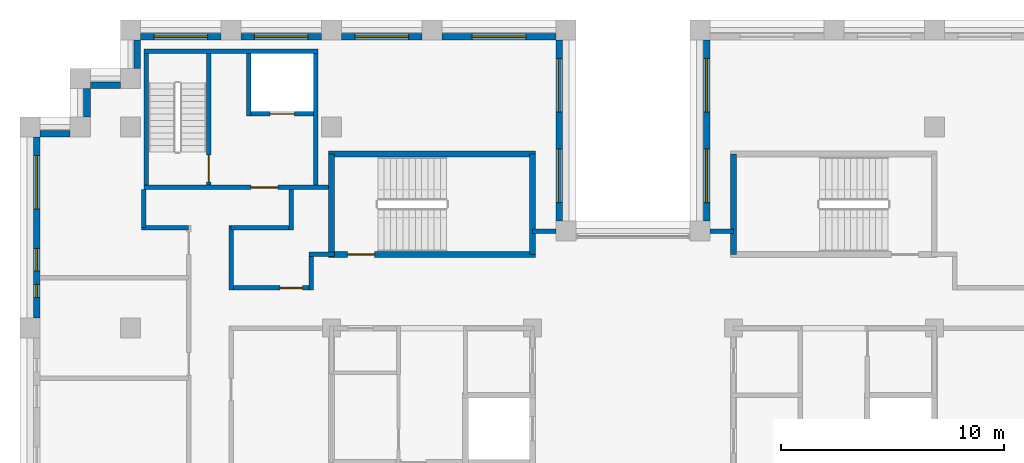
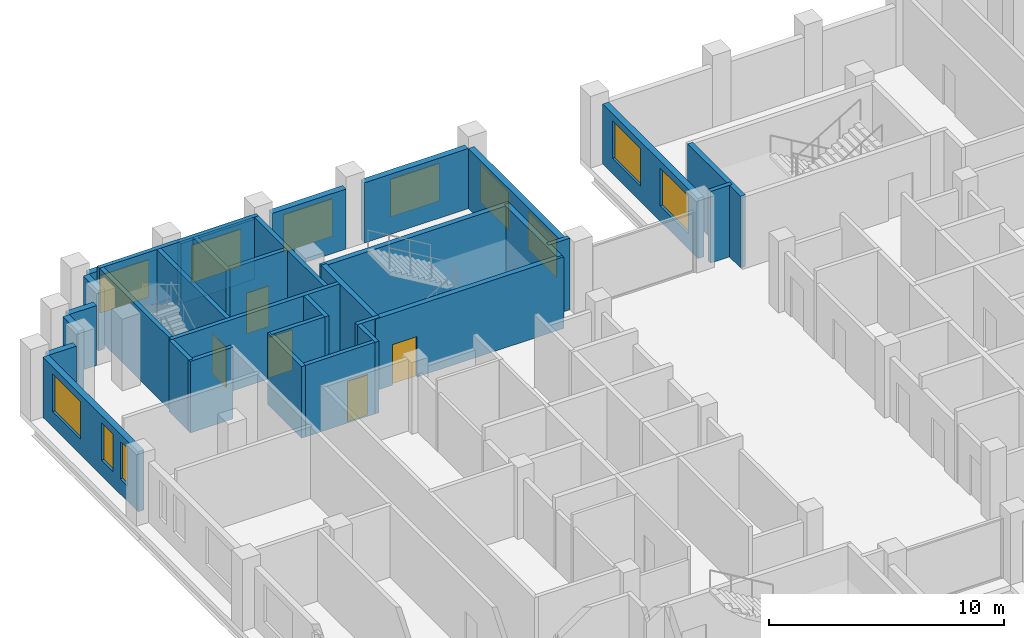
# One storey, part 10 of 13: 33 walls, 11 windows, 5 doors, 16 openings.
"""IFC4 building model written with IfcOpenShell, lengths in metres."""

from ifc_helpers import new_model, si_unit, direction, frame, frame_2d, origin, place, context, subcontext, project, spatial, rectangle, extrude, material, layer, layer_set, type_object, element, fill, save


model = new_model("IFC4")

# Units and contexts
model_context = context("Model", 3, precision=1e-05, world=origin(), true_north=direction((0.0, 1.0)))
body_context = subcontext(model_context, "Body", "Model", "MODEL_VIEW")
ifc_project = project(units=[si_unit("LENGTHUNIT", "METRE"), si_unit("AREAUNIT", "SQUARE_METRE"), si_unit("VOLUMEUNIT", "CUBIC_METRE"), si_unit("PLANEANGLEUNIT", "RADIAN"), si_unit("MASSUNIT", "GRAM", prefix="KILO")], contexts=[model_context])

# Site, building, storey
site_placement = place(None, origin())
site = spatial("IfcSite", under=ifc_project, at=site_placement, CompositionType="ELEMENT")
building_placement = place(site_placement, origin())
building = spatial("IfcBuilding", under=site, at=building_placement, Name="Corbelhall Arena Tower", CompositionType="ELEMENT")
storey_placement = place(building_placement, frame((0.0, 0.0, 274.0)))
storey = spatial("IfcBuildingStorey", under=building, at=storey_placement, Name="L59", CompositionType="ELEMENT", Elevation=274.0)

# Walls
ifc_material_1 = material(Name="Precast concrete C40/50 with granite facing", Category="masonry")
ifc_layer_1 = layer(ifc_material_1, 0.300048828125)
ifc_layer_set_1 = layer_set([ifc_layer_1], Name="EV-IW1 Infill panel 300")
wall_type_1 = type_object("IfcWallType", Name="EV-IW1 Infill panel 300", PredefinedType="SOLIDWALL", material=ifc_layer_set_1)
wall_1_placement = place(storey_placement, frame((-24.449951171875, 19.72509765625, 0.0), z_axis=(0.0, 0.0, 1.0), x_axis=(0.0, -1.0, 0.0)))
element("IfcWall", 1, at=wall_1_placement, inside=storey, type_object=wall_type_1, Name="Infill panel IW1", PredefinedType="SOLIDWALL", context=body_context, shape_type="SweptSolid", body=[
    extrude(rectangle(XDim=1.275146484375, YDim=0.300048828125, at=frame_2d((0.6376953125, 0.0))), origin(), (0.0, 0.0, 1.0), 3.1201171875),
])
wall_2_placement = place(storey_placement, frame((-25.199951171875, 17.699951171875, 0.0), z_axis=(0.0, 0.0, 1.0), x_axis=(-1.0, 0.0, 0.0)))
element("IfcWall", 2, at=wall_2_placement, inside=storey, type_object=wall_type_1, Name="Infill panel IW1", PredefinedType="SOLIDWALL", context=body_context, shape_type="SweptSolid", body=[
    extrude(rectangle(XDim=1.35009765625, YDim=0.300048828125, at=frame_2d((0.675048828125, 0.0))), origin(), (0.0, 0.0, 1.0), 3.1201171875),
])

# Wall, openings, windows
wall_3_placement = place(storey_placement, frame((-26.699951171875, 17.550048828125, 0.0), z_axis=(0.0, 0.0, 1.0), x_axis=(0.0, -1.0, 0.0)))
wall_3 = element("IfcWall", 3, at=wall_3_placement, inside=storey, type_object=wall_type_1, Name="Infill panel IW1", PredefinedType="SOLIDWALL", context=body_context, shape_type="SweptSolid", body=[
    extrude(rectangle(XDim=8.10009765625, YDim=0.300048828125, at=frame_2d((4.050048828125, 0.0))), origin(), (0.0, 0.0, 1.0), 3.1201171875),
])
opening_1_placement = place(wall_3_placement, frame((0.824951171875, 0.0, 0.800048828125)))
opening_1 = element("IfcOpeningElement", 4, at=opening_1_placement, cuts=wall_3, Name="Opening WN1", PredefinedType="OPENING", context=body_context, shape_type="SweptSolid", body=[
    extrude(rectangle(XDim=2.39990234375, YDim=1.949951171875, at=frame_2d((1.199951171875, 0.97509765625))), frame((0.0, 0.14990234375, 0.0), z_axis=(0.0, -1.0, 0.0), x_axis=(1.0, 0.0, 0.0)), (0.0, 0.0, 1.0), 0.300048828125),
])
opening_2_placement = place(wall_3_placement, frame((4.987548828125, 0.0, 0.800048828125)))
opening_2 = element("IfcOpeningElement", 5, at=opening_2_placement, cuts=wall_3, Name="Opening WN6", PredefinedType="OPENING", context=body_context, shape_type="SweptSolid", body=[
    extrude(rectangle(XDim=1.0, YDim=1.949951171875, at=frame_2d((0.5, 0.97509765625))), frame((0.0, 0.14990234375, 0.0), z_axis=(0.0, -1.0, 0.0), x_axis=(1.0, 0.0, 0.0)), (0.0, 0.0, 1.0), 0.300048828125),
])
opening_3_placement = place(wall_3_placement, frame((6.58740234375, 0.0, 0.800048828125)))
opening_3 = element("IfcOpeningElement", 6, at=opening_3_placement, cuts=wall_3, Name="Opening WN5", PredefinedType="OPENING", context=body_context, shape_type="SweptSolid", body=[
    extrude(rectangle(XDim=0.60009765625, YDim=1.949951171875, at=frame_2d((0.300048828125, 0.97509765625))), frame((0.0, 0.14990234375, 0.0), z_axis=(0.0, -1.0, 0.0), x_axis=(1.0, 0.0, 0.0)), (0.0, 0.0, 1.0), 0.300048828125),
])
ifc_material_2 = material(Name="Aluminium black anodised", Category="aluminium")
window_type_1 = type_object("IfcWindowType", Name="EV-WN1 Office window", PartitioningType="SINGLE_PANEL", PredefinedType="WINDOW", material=ifc_material_2)
window_1_placement = place(opening_1_placement, origin())
window_1 = element("IfcWindow", 7, at=window_1_placement, inside=storey, type_object=window_type_1, Name="Window WN1", OverallHeight=1.949951171875, OverallWidth=2.39990234375, PartitioningType="SINGLE_PANEL", PredefinedType="WINDOW", context=body_context, shape_type="SweptSolid", body=[
    extrude(rectangle(XDim=2.39990234375, YDim=1.949951171875, at=frame_2d((1.199951171875, 0.97509765625))), frame((0.0, 0.030029296875, 0.0), z_axis=(0.0, -1.0, 0.0), x_axis=(1.0, 0.0, 0.0)), (0.0, 0.0, 1.0), 0.06005859375),
])
fill(opening_1, window_1)
window_type_2 = type_object("IfcWindowType", Name="EV-WN5 Office window 600", PartitioningType="SINGLE_PANEL", PredefinedType="WINDOW", material=ifc_material_2)
window_2_placement = place(opening_3_placement, origin())
window_2 = element("IfcWindow", 8, at=window_2_placement, inside=storey, type_object=window_type_2, Name="Window WN5", OverallHeight=1.949951171875, OverallWidth=0.60009765625, PartitioningType="SINGLE_PANEL", PredefinedType="WINDOW", context=body_context, shape_type="SweptSolid", body=[
    extrude(rectangle(XDim=0.60009765625, YDim=1.949951171875, at=frame_2d((0.300048828125, 0.97509765625))), frame((0.0, 0.030029296875, 0.0), z_axis=(0.0, -1.0, 0.0), x_axis=(1.0, 0.0, 0.0)), (0.0, 0.0, 1.0), 0.06005859375),
])
fill(opening_3, window_2)
window_type_3 = type_object("IfcWindowType", Name="EV-WN6 Office window 1000", PartitioningType="SINGLE_PANEL", PredefinedType="WINDOW", material=ifc_material_2)
window_3_placement = place(opening_2_placement, origin())
window_3 = element("IfcWindow", 9, at=window_3_placement, inside=storey, type_object=window_type_3, Name="Window WN6", OverallHeight=1.949951171875, OverallWidth=1.0, PartitioningType="SINGLE_PANEL", PredefinedType="WINDOW", context=body_context, shape_type="SweptSolid", body=[
    extrude(rectangle(XDim=1.0, YDim=1.949951171875, at=frame_2d((0.5, 0.97509765625))), frame((0.0, 0.030029296875, 0.0), z_axis=(0.0, -1.0, 0.0), x_axis=(1.0, 0.0, 0.0)), (0.0, 0.0, 1.0), 0.06005859375),
])
fill(opening_2, window_3)

wall_4_placement = place(storey_placement, frame((3.300048828125, 21.89990234375, 0.0), z_axis=(0.0, 0.0, 1.0), x_axis=(0.0, -1.0, 0.0)))
wall_4 = element("IfcWall", 10, at=wall_4_placement, inside=storey, type_object=wall_type_1, Name="Infill panel IW1", PredefinedType="SOLIDWALL", context=body_context, shape_type="SweptSolid", body=[
    extrude(rectangle(XDim=8.099853515625, YDim=0.300048828125, at=frame_2d((4.0498046875, 0.0))), origin(), (0.0, 0.0, 1.0), 3.1201171875),
])
opening_4_placement = place(wall_4_placement, frame((0.824951171875, 0.0, 0.800048828125)))
opening_4 = element("IfcOpeningElement", 11, at=opening_4_placement, cuts=wall_4, Name="Opening WN1", PredefinedType="OPENING", context=body_context, shape_type="SweptSolid", body=[
    extrude(rectangle(XDim=2.39990234375, YDim=1.949951171875, at=frame_2d((1.199951171875, 0.97509765625))), frame((0.0, 0.14990234375, 0.0), z_axis=(0.0, -1.0, 0.0), x_axis=(1.0, 0.0, 0.0)), (0.0, 0.0, 1.0), 0.300048828125),
])
opening_5_placement = place(wall_4_placement, frame((4.875, 0.0, 0.800048828125)))
opening_5 = element("IfcOpeningElement", 12, at=opening_5_placement, cuts=wall_4, Name="Opening WN1", PredefinedType="OPENING", context=body_context, shape_type="SweptSolid", body=[
    extrude(rectangle(XDim=2.39990234375, YDim=1.949951171875, at=frame_2d((1.199951171875, 0.97509765625))), frame((0.0, 0.14990234375, 0.0), z_axis=(0.0, -1.0, 0.0), x_axis=(1.0, 0.0, 0.0)), (0.0, 0.0, 1.0), 0.300048828125),
])
window_4_placement = place(opening_4_placement, origin())
window_4 = element("IfcWindow", 13, at=window_4_placement, inside=storey, type_object=window_type_1, Name="Window WN1", OverallHeight=1.949951171875, OverallWidth=2.39990234375, PartitioningType="SINGLE_PANEL", PredefinedType="WINDOW", context=body_context, shape_type="SweptSolid", body=[
    extrude(rectangle(XDim=2.39990234375, YDim=1.949951171875, at=frame_2d((1.199951171875, 0.97509765625))), frame((0.0, 0.030029296875, 0.0), z_axis=(0.0, -1.0, 0.0), x_axis=(1.0, 0.0, 0.0)), (0.0, 0.0, 1.0), 0.06005859375),
])
fill(opening_4, window_4)
window_5_placement = place(opening_5_placement, origin())
window_5 = element("IfcWindow", 14, at=window_5_placement, inside=storey, type_object=window_type_1, Name="Window WN1", OverallHeight=1.949951171875, OverallWidth=2.39990234375, PartitioningType="SINGLE_PANEL", PredefinedType="WINDOW", context=body_context, shape_type="SweptSolid", body=[
    extrude(rectangle(XDim=2.39990234375, YDim=1.949951171875, at=frame_2d((1.199951171875, 0.97509765625))), frame((0.0, 0.030029296875, 0.0), z_axis=(0.0, -1.0, 0.0), x_axis=(1.0, 0.0, 0.0)), (0.0, 0.0, 1.0), 0.06005859375),
])
fill(opening_5, window_5)

wall_5_placement = place(storey_placement, frame((-3.300048828125, 13.800048828125, 0.0), z_axis=(0.0, 0.0, 1.0), x_axis=(0.0, 1.0, 0.0)))
wall_5 = element("IfcWall", 15, at=wall_5_placement, inside=storey, type_object=wall_type_1, Name="Infill panel IW1", PredefinedType="SOLIDWALL", context=body_context, shape_type="SweptSolid", body=[
    extrude(rectangle(XDim=8.099853515625, YDim=0.300048828125, at=frame_2d((4.0498046875, 0.0))), origin(), (0.0, 0.0, 1.0), 3.1201171875),
])
opening_6_placement = place(wall_5_placement, frame((0.824951171875, 0.0, 0.800048828125)))
opening_6 = element("IfcOpeningElement", 16, at=opening_6_placement, cuts=wall_5, Name="Opening WN1", PredefinedType="OPENING", context=body_context, shape_type="SweptSolid", body=[
    extrude(rectangle(XDim=2.39990234375, YDim=1.949951171875, at=frame_2d((1.199951171875, 0.97509765625))), frame((0.0, 0.14990234375, 0.0), z_axis=(0.0, -1.0, 0.0), x_axis=(1.0, 0.0, 0.0)), (0.0, 0.0, 1.0), 0.300048828125),
])
opening_7_placement = place(wall_5_placement, frame((4.875, 0.0, 0.800048828125)))
opening_7 = element("IfcOpeningElement", 17, at=opening_7_placement, cuts=wall_5, Name="Opening WN1", PredefinedType="OPENING", context=body_context, shape_type="SweptSolid", body=[
    extrude(rectangle(XDim=2.39990234375, YDim=1.949951171875, at=frame_2d((1.199951171875, 0.97509765625))), frame((0.0, 0.14990234375, 0.0), z_axis=(0.0, -1.0, 0.0), x_axis=(1.0, 0.0, 0.0)), (0.0, 0.0, 1.0), 0.300048828125),
])
window_6_placement = place(opening_6_placement, origin())
window_6 = element("IfcWindow", 18, at=window_6_placement, inside=storey, type_object=window_type_1, Name="Window WN1", OverallHeight=1.949951171875, OverallWidth=2.39990234375, PartitioningType="SINGLE_PANEL", PredefinedType="WINDOW", context=body_context, shape_type="SweptSolid", body=[
    extrude(rectangle(XDim=2.39990234375, YDim=1.949951171875, at=frame_2d((1.199951171875, 0.97509765625))), frame((0.0, 0.030029296875, 0.0), z_axis=(0.0, -1.0, 0.0), x_axis=(1.0, 0.0, 0.0)), (0.0, 0.0, 1.0), 0.06005859375),
])
fill(opening_6, window_6)
window_7_placement = place(opening_7_placement, origin())
window_7 = element("IfcWindow", 19, at=window_7_placement, inside=storey, type_object=window_type_1, Name="Window WN1", OverallHeight=1.949951171875, OverallWidth=2.39990234375, PartitioningType="SINGLE_PANEL", PredefinedType="WINDOW", context=body_context, shape_type="SweptSolid", body=[
    extrude(rectangle(XDim=2.39990234375, YDim=1.949951171875, at=frame_2d((1.199951171875, 0.97509765625))), frame((0.0, 0.030029296875, 0.0), z_axis=(0.0, -1.0, 0.0), x_axis=(1.0, 0.0, 0.0)), (0.0, 0.0, 1.0), 0.06005859375),
])
fill(opening_7, window_7)

# Wall, opening, window
wall_6_placement = place(storey_placement, frame((-3.449951171875, 22.050048828125, 0.0), z_axis=(0.0, 0.0, 1.0), x_axis=(-1.0, 0.0, 0.0)))
wall_6 = element("IfcWall", 20, at=wall_6_placement, inside=storey, type_object=wall_type_1, Name="Infill panel IW1", PredefinedType="SOLIDWALL", context=body_context, shape_type="SweptSolid", body=[
    extrude(rectangle(XDim=5.10009765625, YDim=0.300048828125, at=frame_2d((2.550048828125, 0.0))), origin(), (0.0, 0.0, 1.0), 3.1201171875),
])
opening_8_placement = place(wall_6_placement, frame((1.35009765625, 0.0, 0.800048828125)))
opening_8 = element("IfcOpeningElement", 21, at=opening_8_placement, cuts=wall_6, Name="Opening WN1", PredefinedType="OPENING", context=body_context, shape_type="SweptSolid", body=[
    extrude(rectangle(XDim=2.39990234375, YDim=1.949951171875, at=frame_2d((1.199951171875, 0.97509765625))), frame((0.0, 0.14990234375, 0.0), z_axis=(0.0, -1.0, 0.0), x_axis=(1.0, 0.0, 0.0)), (0.0, 0.0, 1.0), 0.300048828125),
])
window_8_placement = place(opening_8_placement, origin())
window_8 = element("IfcWindow", 22, at=window_8_placement, inside=storey, type_object=window_type_1, Name="Window WN1", OverallHeight=1.949951171875, OverallWidth=2.39990234375, PartitioningType="SINGLE_PANEL", PredefinedType="WINDOW", context=body_context, shape_type="SweptSolid", body=[
    extrude(rectangle(XDim=2.39990234375, YDim=1.949951171875, at=frame_2d((1.199951171875, 0.97509765625))), frame((0.0, 0.030029296875, 0.0), z_axis=(0.0, -1.0, 0.0), x_axis=(1.0, 0.0, 0.0)), (0.0, 0.0, 1.0), 0.06005859375),
])
fill(opening_8, window_8)

wall_7_placement = place(storey_placement, frame((-9.449951171875, 22.050048828125, 0.0), z_axis=(0.0, 0.0, 1.0), x_axis=(-1.0, 0.0, 0.0)))
wall_7 = element("IfcWall", 23, at=wall_7_placement, inside=storey, type_object=wall_type_1, Name="Infill panel IW1", PredefinedType="SOLIDWALL", context=body_context, shape_type="SweptSolid", body=[
    extrude(rectangle(XDim=3.60009765625, YDim=0.300048828125, at=frame_2d((1.800048828125, 0.0))), origin(), (0.0, 0.0, 1.0), 3.1201171875),
])
opening_9_placement = place(wall_7_placement, frame((0.60009765625, 0.0, 0.800048828125)))
opening_9 = element("IfcOpeningElement", 24, at=opening_9_placement, cuts=wall_7, Name="Opening WN1", PredefinedType="OPENING", context=body_context, shape_type="SweptSolid", body=[
    extrude(rectangle(XDim=2.39990234375, YDim=1.949951171875, at=frame_2d((1.199951171875, 0.97509765625))), frame((0.0, 0.14990234375, 0.0), z_axis=(0.0, -1.0, 0.0), x_axis=(1.0, 0.0, 0.0)), (0.0, 0.0, 1.0), 0.300048828125),
])
window_9_placement = place(opening_9_placement, origin())
window_9 = element("IfcWindow", 25, at=window_9_placement, inside=storey, type_object=window_type_1, Name="Window WN1", OverallHeight=1.949951171875, OverallWidth=2.39990234375, PartitioningType="SINGLE_PANEL", PredefinedType="WINDOW", context=body_context, shape_type="SweptSolid", body=[
    extrude(rectangle(XDim=2.39990234375, YDim=1.949951171875, at=frame_2d((1.199951171875, 0.97509765625))), frame((0.0, 0.030029296875, 0.0), z_axis=(0.0, -1.0, 0.0), x_axis=(1.0, 0.0, 0.0)), (0.0, 0.0, 1.0), 0.06005859375),
])
fill(opening_9, window_9)

wall_8_placement = place(storey_placement, frame((-13.949951171875, 22.050048828125, 0.0), z_axis=(0.0, 0.0, 1.0), x_axis=(-1.0, 0.0, 0.0)))
wall_8 = element("IfcWall", 26, at=wall_8_placement, inside=storey, type_object=wall_type_1, Name="Infill panel IW1", PredefinedType="SOLIDWALL", context=body_context, shape_type="SweptSolid", body=[
    extrude(rectangle(XDim=3.60009765625, YDim=0.300048828125, at=frame_2d((1.800048828125, 0.0))), origin(), (0.0, 0.0, 1.0), 3.1201171875),
])
opening_10_placement = place(wall_8_placement, frame((0.60009765625, 0.0, 0.800048828125)))
opening_10 = element("IfcOpeningElement", 27, at=opening_10_placement, cuts=wall_8, Name="Opening WN1", PredefinedType="OPENING", context=body_context, shape_type="SweptSolid", body=[
    extrude(rectangle(XDim=2.39990234375, YDim=1.949951171875, at=frame_2d((1.199951171875, 0.97509765625))), frame((0.0, 0.14990234375, 0.0), z_axis=(0.0, -1.0, 0.0), x_axis=(1.0, 0.0, 0.0)), (0.0, 0.0, 1.0), 0.300048828125),
])
window_10_placement = place(opening_10_placement, origin())
window_10 = element("IfcWindow", 28, at=window_10_placement, inside=storey, type_object=window_type_1, Name="Window WN1", OverallHeight=1.949951171875, OverallWidth=2.39990234375, PartitioningType="SINGLE_PANEL", PredefinedType="WINDOW", context=body_context, shape_type="SweptSolid", body=[
    extrude(rectangle(XDim=2.39990234375, YDim=1.949951171875, at=frame_2d((1.199951171875, 0.97509765625))), frame((0.0, 0.030029296875, 0.0), z_axis=(0.0, -1.0, 0.0), x_axis=(1.0, 0.0, 0.0)), (0.0, 0.0, 1.0), 0.06005859375),
])
fill(opening_10, window_10)

wall_9_placement = place(storey_placement, frame((-18.449951171875, 22.050048828125, 0.0), z_axis=(0.0, 0.0, 1.0), x_axis=(-1.0, 0.0, 0.0)))
wall_9 = element("IfcWall", 29, at=wall_9_placement, inside=storey, type_object=wall_type_1, Name="Infill panel IW1", PredefinedType="SOLIDWALL", context=body_context, shape_type="SweptSolid", body=[
    extrude(rectangle(XDim=3.60009765625, YDim=0.300048828125, at=frame_2d((1.800048828125, 0.0))), origin(), (0.0, 0.0, 1.0), 3.1201171875),
])
opening_11_placement = place(wall_9_placement, frame((0.60009765625, 0.0, 0.800048828125)))
opening_11 = element("IfcOpeningElement", 30, at=opening_11_placement, cuts=wall_9, Name="Opening WN1", PredefinedType="OPENING", context=body_context, shape_type="SweptSolid", body=[
    extrude(rectangle(XDim=2.39990234375, YDim=1.949951171875, at=frame_2d((1.199951171875, 0.97509765625))), frame((0.0, 0.14990234375, 0.0), z_axis=(0.0, -1.0, 0.0), x_axis=(1.0, 0.0, 0.0)), (0.0, 0.0, 1.0), 0.300048828125),
])
window_11_placement = place(opening_11_placement, origin())
window_11 = element("IfcWindow", 31, at=window_11_placement, inside=storey, type_object=window_type_1, Name="Window WN1", OverallHeight=1.949951171875, OverallWidth=2.39990234375, PartitioningType="SINGLE_PANEL", PredefinedType="WINDOW", context=body_context, shape_type="SweptSolid", body=[
    extrude(rectangle(XDim=2.39990234375, YDim=1.949951171875, at=frame_2d((1.199951171875, 0.97509765625))), frame((0.0, 0.030029296875, 0.0), z_axis=(0.0, -1.0, 0.0), x_axis=(1.0, 0.0, 0.0)), (0.0, 0.0, 1.0), 0.06005859375),
])
fill(opening_11, window_11)

# Walls
wall_10_placement = place(storey_placement, frame((-22.199951171875, 21.89990234375, 0.0), z_axis=(0.0, 0.0, 1.0), x_axis=(0.0, -1.0, 0.0)))
element("IfcWall", 32, at=wall_10_placement, inside=storey, type_object=wall_type_1, Name="Infill panel IW1", PredefinedType="SOLIDWALL", context=body_context, shape_type="SweptSolid", body=[
    extrude(rectangle(XDim=1.27490234375, YDim=0.300048828125, at=frame_2d((0.637451171875, 0.0))), origin(), (0.0, 0.0, 1.0), 3.1201171875),
])
wall_11_placement = place(storey_placement, frame((-22.949951171875, 19.875, 0.0), z_axis=(0.0, 0.0, 1.0), x_axis=(-1.0, 0.0, 0.0)))
element("IfcWall", 33, at=wall_11_placement, inside=storey, type_object=wall_type_1, Name="Infill panel IW1", PredefinedType="SOLIDWALL", context=body_context, shape_type="SweptSolid", body=[
    extrude(rectangle(XDim=1.35009765625, YDim=0.300048828125, at=frame_2d((0.675048828125, 0.0))), origin(), (0.0, 0.0, 1.0), 3.1201171875),
])
ifc_material_3 = material(Name="Gypsum board on steel stud, acoustic", Category="steel")
ifc_layer_2 = layer(ifc_material_3, 0.199951171875)
ifc_layer_set_2 = layer_set([ifc_layer_2], Name="IN-W-DM200")
wall_type_2 = type_object("IfcWallType", Name="IN-W-DM200", PredefinedType="PARTITIONING", material=ifc_layer_set_2)
wall_12_placement = place(storey_placement, frame((-21.89990234375, 13.5, 0.0), z_axis=(0.0, 0.0, 1.0), x_axis=(0.0, 1.0, 0.0)))
element("IfcWall", 34, at=wall_12_placement, inside=storey, type_object=wall_type_2, Name="Partition 006", PredefinedType="PARTITIONING", context=body_context, shape_type="SweptSolid", body=[
    extrude(rectangle(XDim=1.699951171875, YDim=0.199951171875, at=frame_2d((0.85009765625, 0.0))), origin(), (0.0, 0.0, 1.0), 3.719970703125),
])
wall_13_placement = place(storey_placement, frame((-19.89990234375, 13.5, 0.0), z_axis=(0.0, 0.0, 1.0), x_axis=(-1.0, 0.0, 0.0)))
element("IfcWall", 35, at=wall_13_placement, inside=storey, type_object=wall_type_2, Name="Partition 008", PredefinedType="PARTITIONING", context=body_context, shape_type="SweptSolid", body=[
    extrude(rectangle(XDim=2.10009765625, YDim=0.199951171875, at=frame_2d((1.050048828125, 0.0))), origin(), (0.0, 0.0, 1.0), 3.719970703125),
])

# Wall, opening, door
wall_14_placement = place(storey_placement, frame((-18.0, 10.800048828125, 0.0), z_axis=(0.0, 0.0, 1.0), x_axis=(1.0, 0.0, 0.0)))
wall_14 = element("IfcWall", 36, at=wall_14_placement, inside=storey, type_object=wall_type_2, Name="Partition 013", PredefinedType="PARTITIONING", context=body_context, shape_type="SweptSolid", body=[
    extrude(rectangle(XDim=3.60009765625, YDim=0.199951171875, at=frame_2d((1.800048828125, 0.0))), origin(), (0.0, 0.0, 1.0), 3.719970703125),
])
opening_12_placement = place(wall_14_placement, frame((2.199951171875, 0.0, 0.0)))
opening_12 = element("IfcOpeningElement", 37, at=opening_12_placement, cuts=wall_14, Name="Opening 18026", PredefinedType="OPENING", context=body_context, shape_type="SweptSolid", body=[
    extrude(rectangle(XDim=1.0, YDim=2.10009765625, at=frame_2d((0.5, 1.050048828125))), frame((0.0, 0.10009765625, 0.0), z_axis=(0.0, -1.0, 0.0), x_axis=(1.0, 0.0, 0.0)), (0.0, 0.0, 1.0), 0.199951171875),
])
ifc_material_4 = material(Name="Steel door set", Category="steel")
door_type_1 = type_object("IfcDoorType", Name="IN-D-SW100", OperationType="NOTDEFINED", PredefinedType="DOOR", material=ifc_material_4)
door_1_placement = place(opening_12_placement, origin())
door_1 = element("IfcDoor", 38, at=door_1_placement, inside=storey, type_object=door_type_1, Name="Door 026", OperationType="SINGLE_SWING_LEFT", OverallHeight=2.10009765625, OverallWidth=1.0, PredefinedType="DOOR", context=body_context, shape_type="SweptSolid", body=[
    extrude(rectangle(XDim=1.0, YDim=2.10009765625, at=frame_2d((0.5, 1.050048828125))), frame((0.0, 0.02490234375, 0.0), z_axis=(0.0, -1.0, 0.0), x_axis=(1.0, 0.0, 0.0)), (0.0, 0.0, 1.0), 0.050048828125),
])
fill(opening_12, door_1)

# Walls
wall_15_placement = place(storey_placement, frame((-18.0, 13.60009765625, 0.0), z_axis=(0.0, 0.0, 1.0), x_axis=(0.0, -1.0, 0.0)))
element("IfcWall", 39, at=wall_15_placement, inside=storey, type_object=wall_type_2, Name="Partition 014", PredefinedType="PARTITIONING", context=body_context, shape_type="SweptSolid", body=[
    extrude(rectangle(XDim=2.900146484375, YDim=0.199951171875, at=frame_2d((1.4501953125, 0.0))), origin(), (0.0, 0.0, 1.0), 3.719970703125),
])
wall_16_placement = place(storey_placement, frame((-15.300048828125, 13.5, 0.0), z_axis=(0.0, 0.0, 1.0), x_axis=(-1.0, 0.0, 0.0)))
element("IfcWall", 40, at=wall_16_placement, inside=storey, type_object=wall_type_2, Name="Partition 015", PredefinedType="PARTITIONING", context=body_context, shape_type="SweptSolid", body=[
    extrude(rectangle(XDim=2.699951171875, YDim=0.199951171875, at=frame_2d((1.35009765625, 0.0))), origin(), (0.0, 0.0, 1.0), 3.719970703125),
])
wall_17_placement = place(storey_placement, frame((-15.300048828125, 15.199951171875, 0.0), z_axis=(0.0, 0.0, 1.0), x_axis=(0.0, -1.0, 0.0)))
element("IfcWall", 41, at=wall_17_placement, inside=storey, type_object=wall_type_2, Name="Partition 016", PredefinedType="PARTITIONING", context=body_context, shape_type="SweptSolid", body=[
    extrude(rectangle(XDim=1.800048828125, YDim=0.199951171875, at=frame_2d((0.89990234375, 0.0))), origin(), (0.0, 0.0, 1.0), 3.719970703125),
])
wall_18_placement = place(storey_placement, frame((-14.5, 12.300048828125, 0.0), z_axis=(0.0, 0.0, 1.0), x_axis=(1.0, 0.0, 0.0)))
element("IfcWall", 42, at=wall_18_placement, inside=storey, type_object=wall_type_2, Name="Partition 017", PredefinedType="PARTITIONING", context=body_context, shape_type="SweptSolid", body=[
    extrude(rectangle(XDim=1.125, YDim=0.199951171875, at=frame_2d((0.5625, 0.0))), origin(), (0.0, 0.0, 1.0), 3.719970703125),
])
wall_19_placement = place(storey_placement, frame((-14.39990234375, 10.699951171875, 0.0), z_axis=(0.0, 0.0, 1.0), x_axis=(0.0, 1.0, 0.0)))
element("IfcWall", 43, at=wall_19_placement, inside=storey, type_object=wall_type_2, Name="Partition 021", PredefinedType="PARTITIONING", context=body_context, shape_type="SweptSolid", body=[
    extrude(rectangle(XDim=1.60009765625, YDim=0.199951171875, at=frame_2d((0.800048828125, 0.0))), origin(), (0.0, 0.0, 1.0), 3.719970703125),
])
for number, where, z_axis, x_axis, name in (
    (44, (-4.5, 13.35009765625, 0.0), (0.0, 0.0, 1.0), (1.0, 0.0, 0.0), "Partition 023"),
    (45, (3.449951171875, 13.35009765625, 0.0), (0.0, 0.0, 1.0), (1.0, 0.0, 0.0), "Partition 025"),
):
    element("IfcWall", number, at=place(storey_placement, frame(where, z_axis=z_axis, x_axis=x_axis)), inside=storey, type_object=wall_type_2, Name=name, PredefinedType="PARTITIONING", context=body_context, shape_type="SweptSolid", body=[
        extrude(rectangle(XDim=1.050048828125, YDim=0.199951171875, at=frame_2d((0.52490234375, 0.0))), origin(), (0.0, 0.0, 1.0), 3.719970703125),
    ])

# Wall, opening, door
ifc_material_5 = material(Name="Concrete C40/50", Category="concrete")
ifc_layer_3 = layer(ifc_material_5, 0.199951171875)
ifc_layer_set_3 = layer_set([ifc_layer_3], Name="IN-W-EAR200")
wall_type_3 = type_object("IfcWallType", Name="IN-W-EAR200", PredefinedType="SOLIDWALL", material=ifc_layer_set_3)
wall_20_placement = place(storey_placement, frame((-21.89990234375, 15.300048828125, 0.0), z_axis=(0.0, 0.0, 1.0), x_axis=(1.0, 0.0, 0.0)))
wall_20 = element("IfcWall", 46, at=wall_20_placement, inside=storey, type_object=wall_type_3, Name="Fire service turret wall south", PredefinedType="SOLIDWALL", context=body_context, shape_type="SweptSolid", body=[
    extrude(rectangle(XDim=8.27490234375, YDim=0.199951171875, at=frame_2d((4.137451171875, 0.0))), origin(), (0.0, 0.0, 1.0), 3.719970703125),
])
opening_13_placement = place(wall_20_placement, frame((4.800048828125, 0.0, 0.0)))
opening_13 = element("IfcOpeningElement", 47, at=opening_13_placement, cuts=wall_20, Name="Opening E182", PredefinedType="OPENING", context=body_context, shape_type="SweptSolid", body=[
    extrude(rectangle(XDim=1.199951171875, YDim=2.10009765625, at=frame_2d((0.60009765625, 1.050048828125))), frame((0.0, 0.10009765625, 0.0), z_axis=(0.0, -1.0, 0.0), x_axis=(1.0, 0.0, 0.0)), (0.0, 0.0, 1.0), 0.199951171875),
])
door_type_2 = type_object("IfcDoorType", Name="IN-D-ST120", OperationType="NOTDEFINED", PredefinedType="DOOR", material=ifc_material_4)
door_2_placement = place(opening_13_placement, origin())
door_2 = element("IfcDoor", 48, at=door_2_placement, inside=storey, type_object=door_type_2, Name="Door from fire service lift lobby to circulation", OperationType="SINGLE_SWING_RIGHT", OverallHeight=2.10009765625, OverallWidth=1.199951171875, PredefinedType="DOOR", context=body_context, shape_type="SweptSolid", body=[
    extrude(rectangle(XDim=1.199951171875, YDim=2.10009765625, at=frame_2d((0.60009765625, 1.050048828125))), frame((0.0, 0.02490234375, 0.0), z_axis=(0.0, -1.0, 0.0), x_axis=(1.0, 0.0, 0.0)), (0.0, 0.0, 1.0), 0.050048828125),
])
fill(opening_13, door_2)

# Walls
wall_21_placement = place(storey_placement, frame((-21.89990234375, 21.39990234375, 0.0), z_axis=(0.0, 0.0, 1.0), x_axis=(1.0, 0.0, 0.0)))
element("IfcWall", 49, at=wall_21_placement, inside=storey, type_object=wall_type_3, Name="Fire service turret wall north", PredefinedType="SOLIDWALL", context=body_context, shape_type="SweptSolid", body=[
    extrude(rectangle(XDim=7.7998046875, YDim=0.199951171875, at=frame_2d((3.89990234375, 0.0))), origin(), (0.0, 0.0, 1.0), 3.719970703125),
])
for number, where, z_axis, x_axis, name in (
    (50, (-21.800048828125, 15.39990234375, 0.0), (0.0, 0.0, 1.0), (0.0, 1.0, 0.0), "Fire service turret wall west"),
    (51, (-14.199951171875, 15.39990234375, 0.0), (0.0, 0.0, 1.0), (0.0, 1.0, 0.0), "Fire service turret wall east"),
):
    element("IfcWall", number, at=place(storey_placement, frame(where, z_axis=z_axis, x_axis=x_axis)), inside=storey, type_object=wall_type_3, Name=name, PredefinedType="SOLIDWALL", context=body_context, shape_type="SweptSolid", body=[
        extrude(rectangle(XDim=5.900146484375, YDim=0.199951171875, at=frame_2d((2.9501953125, 0.0))), origin(), (0.0, 0.0, 1.0), 3.719970703125),
    ])

# Wall, opening, door
wall_22_placement = place(storey_placement, frame((-18.989990234375, 15.39990234375, 0.0), z_axis=(0.0, 0.0, 1.0), x_axis=(0.0, 1.0, 0.0)))
wall_22 = element("IfcWall", 52, at=wall_22_placement, inside=storey, type_object=wall_type_3, Name="Fire service turret wall stair", PredefinedType="SOLIDWALL", context=body_context, shape_type="SweptSolid", body=[
    extrude(rectangle(XDim=5.900146484375, YDim=0.199951171875, at=frame_2d((2.9501953125, 0.0))), origin(), (0.0, 0.0, 1.0), 3.719970703125),
])
opening_14_placement = place(wall_22_placement, frame((0.14990234375, 0.0, 0.0)))
opening_14 = element("IfcOpeningElement", 53, at=opening_14_placement, cuts=wall_22, Name="Opening E181", PredefinedType="OPENING", context=body_context, shape_type="SweptSolid", body=[
    extrude(rectangle(XDim=1.199951171875, YDim=2.10009765625, at=frame_2d((0.60009765625, 1.050048828125))), frame((0.0, 0.10009765625, 0.0), z_axis=(0.0, -1.0, 0.0), x_axis=(1.0, 0.0, 0.0)), (0.0, 0.0, 1.0), 0.199951171875),
])
door_3_placement = place(opening_14_placement, origin())
door_3 = element("IfcDoor", 54, at=door_3_placement, inside=storey, type_object=door_type_2, Name="Stair door to fire service lobby", OperationType="SINGLE_SWING_LEFT", OverallHeight=2.10009765625, OverallWidth=1.199951171875, PredefinedType="DOOR", context=body_context, shape_type="SweptSolid", body=[
    extrude(rectangle(XDim=1.199951171875, YDim=2.10009765625, at=frame_2d((0.60009765625, 1.050048828125))), frame((0.0, 0.02490234375, 0.0), z_axis=(0.0, -1.0, 0.0), x_axis=(1.0, 0.0, 0.0)), (0.0, 0.0, 1.0), 0.050048828125),
])
fill(opening_14, door_3)

# Wall
wall_23_placement = place(storey_placement, frame((-17.199951171875, 18.5, 0.0), z_axis=(0.0, 0.0, 1.0), x_axis=(0.0, 1.0, 0.0)))
element("IfcWall", 55, at=wall_23_placement, inside=storey, type_object=wall_type_3, Name="Fire service turret wall hoistway west", PredefinedType="SOLIDWALL", context=body_context, shape_type="SweptSolid", body=[
    extrude(rectangle(XDim=2.800048828125, YDim=0.199951171875, at=frame_2d((1.39990234375, 0.0))), origin(), (0.0, 0.0, 1.0), 3.719970703125),
])

# Wall, opening, door
wall_24_placement = place(storey_placement, frame((-17.10009765625, 18.60009765625, 0.0), z_axis=(0.0, 0.0, 1.0), x_axis=(1.0, 0.0, 0.0)))
wall_24 = element("IfcWall", 56, at=wall_24_placement, inside=storey, type_object=wall_type_3, Name="Fire service turret wall hoistway south", PredefinedType="SOLIDWALL", context=body_context, shape_type="SweptSolid", body=[
    extrude(rectangle(XDim=2.800048828125, YDim=0.199951171875, at=frame_2d((1.39990234375, 0.0))), origin(), (0.0, 0.0, 1.0), 3.719970703125),
])
opening_15_placement = place(wall_24_placement, frame((0.85009765625, 0.0, 0.0)))
opening_15 = element("IfcOpeningElement", 57, at=opening_15_placement, cuts=wall_24, Name="Opening LD", PredefinedType="OPENING", context=body_context, shape_type="SweptSolid", body=[
    extrude(rectangle(XDim=1.10009765625, YDim=2.10009765625, at=frame_2d((0.550048828125, 1.050048828125))), frame((0.0, 0.10009765625, 0.0), z_axis=(0.0, -1.0, 0.0), x_axis=(1.0, 0.0, 0.0)), (0.0, 0.0, 1.0), 0.199951171875),
])
door_type_3 = type_object("IfcDoorType", Name="IN-D-LD110", OperationType="NOTDEFINED", PredefinedType="DOOR", material=ifc_material_4)
door_4_placement = place(opening_15_placement, origin())
door_4 = element("IfcDoor", 58, at=door_4_placement, inside=storey, type_object=door_type_3, Name="Landing door FS1", OperationType="SLIDING_TO_LEFT", OverallHeight=2.10009765625, OverallWidth=1.10009765625, PredefinedType="DOOR", context=body_context, shape_type="SweptSolid", body=[
    extrude(rectangle(XDim=1.10009765625, YDim=2.10009765625, at=frame_2d((0.550048828125, 1.050048828125))), frame((0.0, 0.02490234375, 0.0), z_axis=(0.0, -1.0, 0.0), x_axis=(1.0, 0.0, 0.0)), (0.0, 0.0, 1.0), 0.050048828125),
])
fill(opening_15, door_4)

ifc_layer_4 = layer(ifc_material_5, 0.25)
ifc_layer_set_4 = layer_set([ifc_layer_4], Name="IN-W-ST250")
wall_type_4 = type_object("IfcWallType", Name="IN-W-ST250", PredefinedType="SOLIDWALL", material=ifc_layer_set_4)
wall_25_placement = place(storey_placement, frame((-13.625, 12.300048828125, 0.0), z_axis=(0.0, 0.0, 1.0), x_axis=(1.0, 0.0, 0.0)))
wall_25 = element("IfcWall", 59, at=wall_25_placement, inside=storey, type_object=wall_type_4, Name="Shaft wall 086", PredefinedType="SOLIDWALL", context=body_context, shape_type="SweptSolid", body=[
    extrude(rectangle(XDim=9.25, YDim=0.25, at=frame_2d((4.625, 0.0))), origin(), (0.0, 0.0, 1.0), 3.719970703125),
])
opening_16_placement = place(wall_25_placement, frame((0.85009765625, 0.0, 0.0)))
opening_16 = element("IfcOpeningElement", 60, at=opening_16_placement, cuts=wall_25, Name="Opening 18018", PredefinedType="OPENING", context=body_context, shape_type="SweptSolid", body=[
    extrude(rectangle(XDim=1.199951171875, YDim=2.10009765625, at=frame_2d((0.60009765625, 1.050048828125))), frame((0.0, 0.125, 0.0), z_axis=(0.0, -1.0, 0.0), x_axis=(1.0, 0.0, 0.0)), (0.0, 0.0, 1.0), 0.25),
])
door_5_placement = place(opening_16_placement, origin())
door_5 = element("IfcDoor", 61, at=door_5_placement, inside=storey, type_object=door_type_2, Name="Door 018", OperationType="SINGLE_SWING_LEFT", OverallHeight=2.10009765625, OverallWidth=1.199951171875, PredefinedType="DOOR", context=body_context, shape_type="SweptSolid", body=[
    extrude(rectangle(XDim=1.199951171875, YDim=2.10009765625, at=frame_2d((0.60009765625, 1.050048828125))), frame((0.0, 0.02490234375, 0.0), z_axis=(0.0, -1.0, 0.0), x_axis=(1.0, 0.0, 0.0)), (0.0, 0.0, 1.0), 0.050048828125),
])
fill(opening_16, door_5)

# Walls
wall_26_placement = place(storey_placement, frame((-13.625, 16.800048828125, 0.0), z_axis=(0.0, 0.0, 1.0), x_axis=(1.0, 0.0, 0.0)))
element("IfcWall", 62, at=wall_26_placement, inside=storey, type_object=wall_type_4, Name="Shaft wall 087", PredefinedType="SOLIDWALL", context=body_context, shape_type="SweptSolid", body=[
    extrude(rectangle(XDim=9.25, YDim=0.25, at=frame_2d((4.625, 0.0))), origin(), (0.0, 0.0, 1.0), 3.719970703125),
])
for number, where, z_axis, x_axis, name in (
    (63, (-13.5, 12.300048828125, 0.0), (0.0, 0.0, 1.0), (0.0, 1.0, 0.0), "Shaft wall 089"),
    (64, (-4.5, 16.800048828125, 0.0), (0.0, 0.0, 1.0), (0.0, -1.0, 0.0), "Shaft wall 092"),
    (65, (4.5, 12.300048828125, 0.0), (0.0, 0.0, 1.0), (0.0, 1.0, 0.0), "Shaft wall 097"),
):
    element("IfcWall", number, at=place(storey_placement, frame(where, z_axis=z_axis, x_axis=x_axis)), inside=storey, type_object=wall_type_4, Name=name, PredefinedType="SOLIDWALL", context=body_context, shape_type="SweptSolid", body=[
        extrude(rectangle(XDim=4.5, YDim=0.25, at=frame_2d((2.25, 0.0))), origin(), (0.0, 0.0, 1.0), 3.719970703125),
    ])

save(model, "model.ifc")
